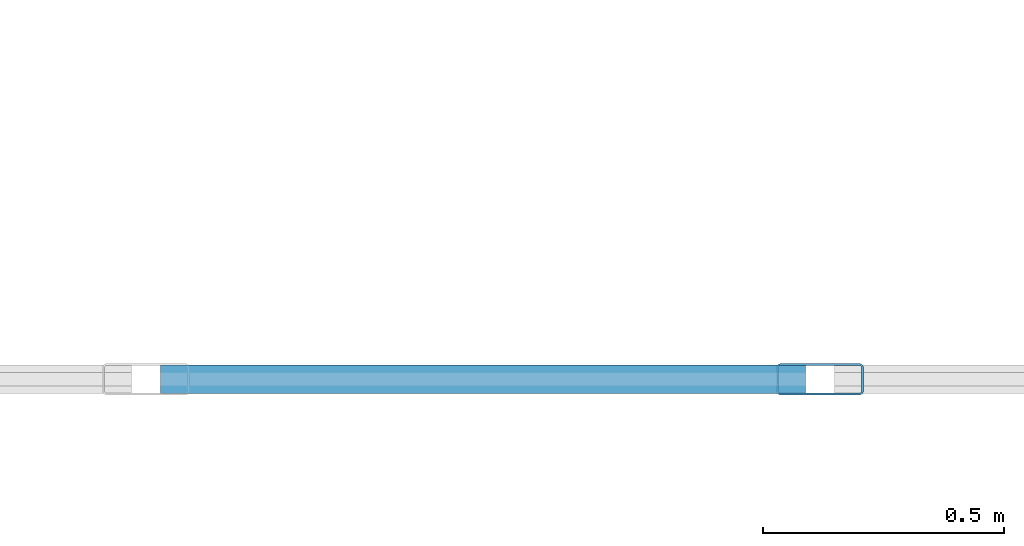
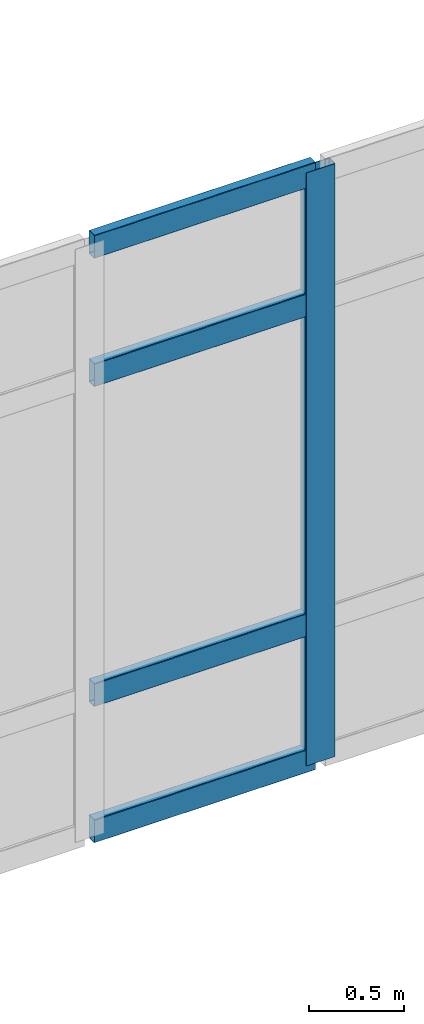
# One storey, part 60 of 163: 5 members, 1 element without a shape of its own.
"""IFC4 building model written with IfcOpenShell, lengths in metres."""

from ifc_helpers import new_model, si_unit, direction, frame, origin, origin_2d, place, context, subcontext, project, spatial, hollow_rectangle, extrude, material, layer, layer_set, material_profile, profile_set, type_object, element, aggregate, save


model = new_model("IFC4")

# Units and contexts
model_context = context("Model", 3, precision=1e-05, world=origin(), true_north=direction((0.0, 1.0)))
body_context = subcontext(model_context, "Body", "Model", "MODEL_VIEW")
ifc_project = project(units=[si_unit("LENGTHUNIT", "METRE"), si_unit("AREAUNIT", "SQUARE_METRE"), si_unit("VOLUMEUNIT", "CUBIC_METRE"), si_unit("PLANEANGLEUNIT", "RADIAN"), si_unit("MASSUNIT", "GRAM", prefix="KILO")], contexts=[model_context])

# Site, building, storey
site_placement = place(None, origin())
site = spatial("IfcSite", under=ifc_project, at=site_placement, CompositionType="ELEMENT")
building_placement = place(site_placement, origin())
building = spatial("IfcBuilding", under=site, at=building_placement, Name="Qalvenar Corner Mobility Hub", CompositionType="ELEMENT")
storey_placement = place(building_placement, frame((0.0, 0.0, 4.800048828125)))
storey = spatial("IfcBuildingStorey", under=building, at=storey_placement, Name="L01", CompositionType="ELEMENT", Elevation=4.800048828125)

# Curtain wall, members
ifc_material_1 = material(Name="Anodised Aluminium and Low-E Glazing", Category="aluminium")
ifc_layer = layer(ifc_material_1, 0.179931640625)
ifc_layer_set = layer_set([ifc_layer], Name="Anodised Aluminium and Low-E Glazing")
curtain_wall_type = type_object("IfcCurtainWallType", Name="CW-CONC-84X42", PredefinedType="NOTDEFINED", material=ifc_layer_set)
curtain_wall_placement = place(storey_placement, origin())
curtain_wall = element("IfcCurtainWall", 1, at=curtain_wall_placement, inside=storey, type_object=curtain_wall_type, Name="Glazed Curtain Wall CW-V1-L01-S5", PredefinedType="NOTDEFINED")
ifc_material_2 = material(Name="Anodised Aluminium 6063-T6", Category="aluminium")
ifc_material_profile_1 = material_profile(ifc_material_2, hollow_rectangle(XDim=0.06494140625, YDim=0.179931640625, WallThickness=0.00390625, InnerFilletRadius=0.00390625, OuterFilletRadius=0.008056640625, at=origin_2d()), Name="RHS180x65x4")
ifc_profile_set_1 = profile_set([ifc_material_profile_1], Name="Anodised Aluminium 6063-T6")
member_type_1 = type_object("IfcMemberType", Name="CW-MUL180", PredefinedType="MULLION", material=ifc_profile_set_1)
member_1_placement = place(storey_placement, frame((95.199951171875, 0.0, 0.0), z_axis=(0.0, 0.0, 1.0), x_axis=(0.0, 1.0, 0.0)))
member_1 = element("IfcMember", 2, at=member_1_placement, type_object=member_type_1, Name="CW-02 mullion 3", PredefinedType="MULLION", context=body_context, shape_type="SweptSolid", body=[
    extrude(hollow_rectangle(XDim=0.06494140625, YDim=0.179931640625, WallThickness=0.00390625, InnerFilletRadius=0.00390625, OuterFilletRadius=0.008056640625, at=origin_2d()), origin(), (0.0, 0.0, 1.0), 3.800048828125),
])
ifc_material_profile_2 = material_profile(ifc_material_2, hollow_rectangle(XDim=0.06005859375, YDim=0.14990234375, WallThickness=0.00341796875, InnerFilletRadius=0.00341796875, OuterFilletRadius=0.007080078125, at=origin_2d()), Name="RHS150x60x3.5")
ifc_profile_set_2 = profile_set([ifc_material_profile_2], Name="Anodised Aluminium 6063-T6")
member_type_2 = type_object("IfcMemberType", Name="CW-TRN150", PredefinedType="USERDEFINED", material=ifc_profile_set_2)
member_2_placement = place(storey_placement, frame((93.830078125, 0.0, 0.02734375), z_axis=(1.0, 0.0, 0.0), x_axis=(0.0, 1.0, 0.0)))
member_2 = element("IfcMember", 3, at=member_2_placement, type_object=member_type_2, Name="CW-02 transom 2.1", ObjectType="TRANSOM", PredefinedType="USERDEFINED", context=body_context, shape_type="SweptSolid", body=[
    extrude(hollow_rectangle(XDim=0.06005859375, YDim=0.14990234375, WallThickness=0.00341796875, InnerFilletRadius=0.00341796875, OuterFilletRadius=0.007080078125, at=origin_2d()), origin(), (0.0, 0.0, 1.0), 1.33984375),
])
member_3_placement = place(storey_placement, frame((93.830078125, 0.0, 0.89990234375), z_axis=(1.0, 0.0, 0.0), x_axis=(0.0, 1.0, 0.0)))
member_3 = element("IfcMember", 4, at=member_3_placement, type_object=member_type_2, Name="CW-02 transom 2.2", ObjectType="TRANSOM", PredefinedType="USERDEFINED", context=body_context, shape_type="SweptSolid", body=[
    extrude(hollow_rectangle(XDim=0.06005859375, YDim=0.14990234375, WallThickness=0.00341796875, InnerFilletRadius=0.00341796875, OuterFilletRadius=0.007080078125, at=origin_2d()), origin(), (0.0, 0.0, 1.0), 1.33984375),
])
member_4_placement = place(storey_placement, frame((93.830078125, 0.0, 2.949951171875), z_axis=(1.0, 0.0, 0.0), x_axis=(0.0, 1.0, 0.0)))
member_4 = element("IfcMember", 5, at=member_4_placement, type_object=member_type_2, Name="CW-02 transom 2.3", ObjectType="TRANSOM", PredefinedType="USERDEFINED", context=body_context, shape_type="SweptSolid", body=[
    extrude(hollow_rectangle(XDim=0.06005859375, YDim=0.14990234375, WallThickness=0.00341796875, InnerFilletRadius=0.00341796875, OuterFilletRadius=0.007080078125, at=origin_2d()), origin(), (0.0, 0.0, 1.0), 1.33984375),
])
member_5_placement = place(storey_placement, frame((93.830078125, 0.0, 3.7724609375), z_axis=(1.0, 0.0, 0.0), x_axis=(0.0, 1.0, 0.0)))
member_5 = element("IfcMember", 6, at=member_5_placement, type_object=member_type_2, Name="CW-02 transom 2.4", ObjectType="TRANSOM", PredefinedType="USERDEFINED", context=body_context, shape_type="SweptSolid", body=[
    extrude(hollow_rectangle(XDim=0.06005859375, YDim=0.14990234375, WallThickness=0.00341796875, InnerFilletRadius=0.00341796875, OuterFilletRadius=0.007080078125, at=origin_2d()), origin(), (0.0, 0.0, 1.0), 1.33984375),
])
aggregate(curtain_wall, [member_1, member_2, member_3, member_4, member_5])

save(model, "model.ifc")
